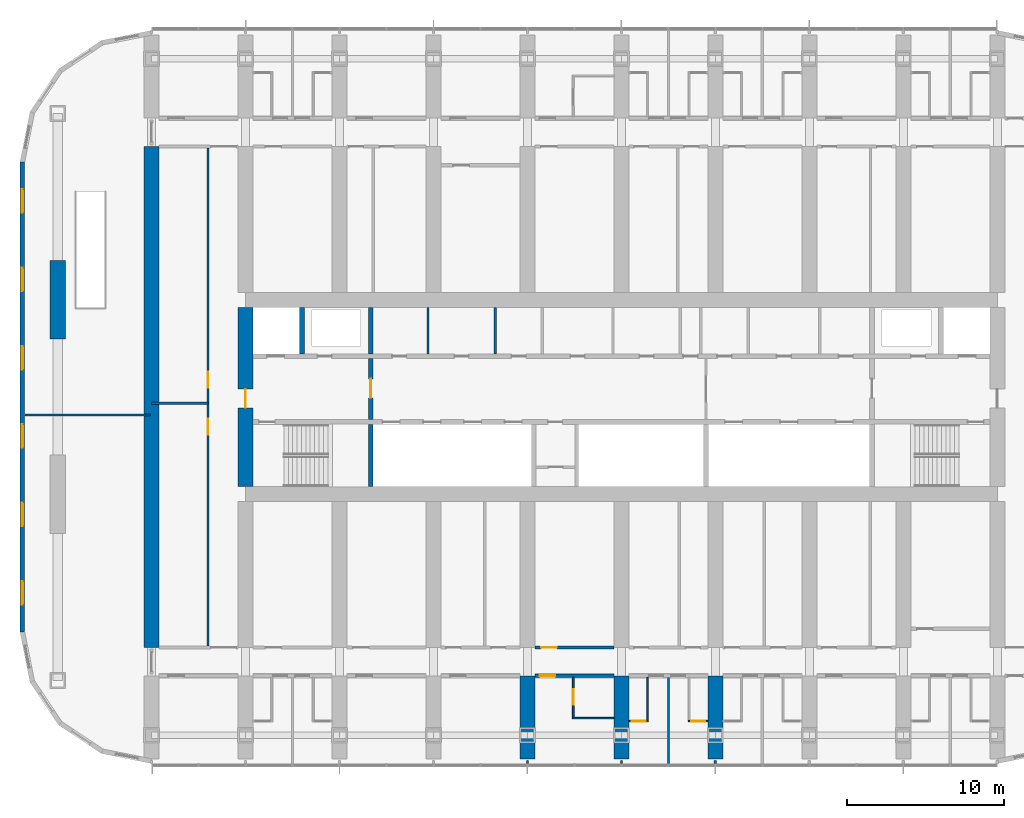
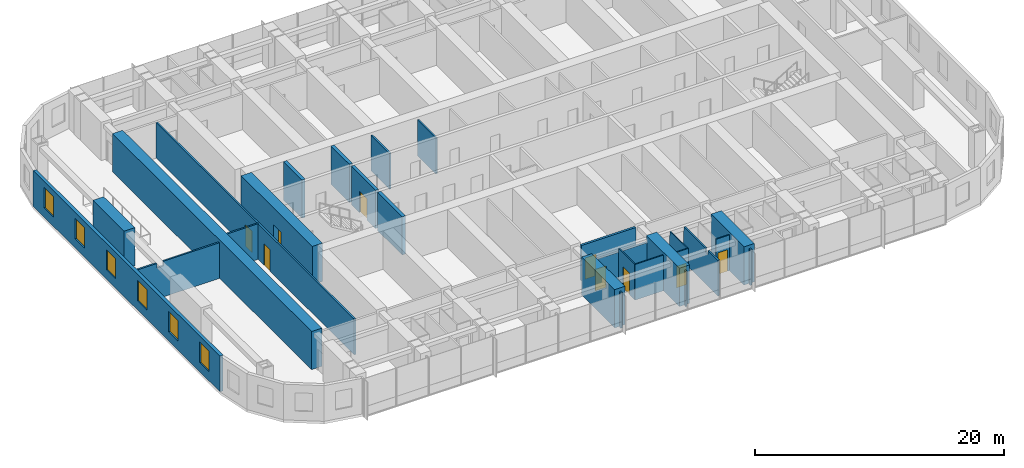
# One storey, part 9 of 21: 27 walls, 9 doors, 6 windows, 15 openings.
"""IFC4 building model written with IfcOpenShell, lengths in metres."""

import ifcopenshell
import ifcopenshell.guid

model = None  # the IFC model being written
_history = None  # IfcOwnerHistory: only IFC2X3 demands one
_inside = {}  # id of a spatial element -> (the spatial element, [elements in it])
_under = {}  # id of a project, library or spatial element -> (it, [spatial elements below it])
_declared = {}  # id of a project -> (the project, [libraries it declares])
_typed = {}  # id of a type object -> (the type object, [elements of that type])
_made_of = {}  # id of a material, layer set ... -> (it, [elements and type objects made of it])


def new_model(schema):
    """Start an empty IFC model of exactly this schema.

    Asked for "IFC4X3", IfcOpenShell would pick the latest addendum, in which some entities
    have other attributes; the version numbers below select the first issue.
    IFC2X3 requires an IfcOwnerHistory on every rooted entity: one is made here for all.
    """
    global model, _history
    if schema == "IFC4X3":
        model = ifcopenshell.file(schema_version=(4, 3, 0, 0))
    else:
        model = ifcopenshell.file(schema=schema)
    _inside.clear()
    _under.clear()
    _declared.clear()
    _typed.clear()
    _made_of.clear()
    _history = None
    if model.schema == "IFC2X3":
        org = make("IfcOrganization", Name="unknown")
        user = make(
            "IfcPersonAndOrganization",
            ThePerson=make("IfcPerson", FamilyName="unknown"),
            TheOrganization=org,
        )
        app = make(
            "IfcApplication",
            ApplicationDeveloper=org,
            Version="unknown",
            ApplicationFullName="unknown",
            ApplicationIdentifier="unknown",
        )
        _history = make(
            "IfcOwnerHistory",
            OwningUser=user,
            OwningApplication=app,
            ChangeAction="ADDED",
            CreationDate=0,
        )
    return model


def make(cls, **values):
    """One entity of the class cls with the attributes given. An attribute that is None is left unset."""
    return model.create_entity(
        cls, **{name: value for name, value in values.items() if value is not None}
    )


def rooted(cls, **values):
    """An entity with a GlobalId (a new one), such as an element, a storey or a relation."""
    return make(cls, GlobalId=ifcopenshell.guid.new(), OwnerHistory=_history, **values)


def si_unit(unit_type, name, prefix=None):
    """IfcSIUnit, for example si_unit("LENGTHUNIT", "METRE", prefix="MILLI")."""
    return make("IfcSIUnit", UnitType=unit_type, Prefix=prefix, Name=name)


def assignment(units):
    """IfcUnitAssignment: the units of a project."""
    return None if units is None else make("IfcUnitAssignment", Units=units)


def point(xyz):
    """IfcCartesianPoint."""
    return None if xyz is None else make("IfcCartesianPoint", Coordinates=xyz)


def direction(xyz):
    """IfcDirection."""
    return None if xyz is None else make("IfcDirection", DirectionRatios=xyz)


def frame(location, z_axis=None, x_axis=None):
    """IfcAxis2Placement3D, a coordinate frame: its origin and axes. An axis left out is left unset."""
    return make(
        "IfcAxis2Placement3D",
        Location=point(location),
        Axis=direction(z_axis),
        RefDirection=direction(x_axis),
    )


def frame_2d(location, x_axis=None):
    """IfcAxis2Placement2D, a coordinate frame in the plane: its origin and x axis."""
    return make(
        "IfcAxis2Placement2D", Location=point(location), RefDirection=direction(x_axis)
    )


def origin():
    """The frame at (0, 0, 0) with its axes left unset."""
    return frame((0.0, 0.0, 0.0))


def place(relative_to, where):
    """IfcLocalPlacement: puts the frame where relative to a parent placement (None: the world)."""
    return make(
        "IfcLocalPlacement", PlacementRelTo=relative_to, RelativePlacement=where
    )


def context(
    kind, dimensions, precision=None, world=None, true_north=None, identifier=None
):
    """IfcGeometricRepresentationContext, for example the 3D "Model" context."""
    return make(
        "IfcGeometricRepresentationContext",
        ContextIdentifier=identifier,
        ContextType=kind,
        CoordinateSpaceDimension=dimensions,
        Precision=precision,
        WorldCoordinateSystem=world,
        TrueNorth=true_north,
    )


def subcontext(parent, identifier, kind, view, scale=None):
    """IfcGeometricRepresentationSubContext, for example "Body" below "Model"."""
    return make(
        "IfcGeometricRepresentationSubContext",
        ContextIdentifier=identifier,
        ContextType=kind,
        ParentContext=parent,
        TargetScale=scale,
        TargetView=view,
    )


def project(units=None, contexts=None):
    """IfcProject with its units and contexts."""
    return rooted(
        "IfcProject",
        Name="project",
        RepresentationContexts=contexts,
        UnitsInContext=assignment(units),
    )


def spatial(cls, under=None, at=None, **own):
    """A site, building, storey or space (cls), placed at a placement, below another one or the project."""
    s = rooted(cls, ObjectPlacement=at, **own)
    if under is not None:
        _under.setdefault(under.id(), (under, []))[1].append(s)
    return s


def polyline(points):
    """IfcPolyline through the points."""
    return make("IfcPolyline", Points=[point(p) for p in points])


def profile(cls, at=None, kind="AREA", **sizes):
    """A parametric profile (cls). Its sizes go by their IFC names, for example OverallWidth=200.0."""
    return make(cls, ProfileType=kind, Position=at, **sizes)


def rectangle(**sizes):
    """IfcRectangleProfileDef."""
    return profile("IfcRectangleProfileDef", **sizes)


def outline(outer, holes=None, kind="AREA"):
    """IfcArbitraryClosedProfileDef: a profile drawn as a closed curve; with holes, ...WithVoids."""
    if holes is None:
        return make("IfcArbitraryClosedProfileDef", ProfileType=kind, OuterCurve=outer)
    return make(
        "IfcArbitraryProfileDefWithVoids",
        ProfileType=kind,
        OuterCurve=outer,
        InnerCurves=holes,
    )


def extrude(swept, where, along, depth):
    """IfcExtrudedAreaSolid: the profile swept, set in the frame where, extruded along a direction by depth."""
    return make(
        "IfcExtrudedAreaSolid",
        SweptArea=swept,
        Position=where,
        ExtrudedDirection=direction(along),
        Depth=depth,
    )


def shape(context_of_items, identifier, shape_type, items):
    """IfcShapeRepresentation: the items that make up one representation, for example the "Body"."""
    return make(
        "IfcShapeRepresentation",
        ContextOfItems=context_of_items,
        RepresentationIdentifier=identifier,
        RepresentationType=shape_type,
        Items=items,
    )


def material(Name=None, Category=None):
    """IfcMaterial."""
    return make("IfcMaterial", Name=Name, Category=Category)


def layer(
    of_material, thickness, ventilated=None, Name=None, Category=None, Priority=None
):
    """IfcMaterialLayer: one layer of a wall or slab, of a material (None: an air gap)."""
    return make(
        "IfcMaterialLayer",
        Material=of_material,
        LayerThickness=thickness,
        IsVentilated=ventilated,
        Name=Name,
        Category=Category,
        Priority=Priority,
    )


def layer_set(layers, Name=None):
    """IfcMaterialLayerSet."""
    return make("IfcMaterialLayerSet", MaterialLayers=layers, LayerSetName=Name)


def made_of(thing, what):
    """Note that an element or type object is made of a material, layer set ...; save() writes the relation."""
    if what is not None:
        _made_of.setdefault(what.id(), (what, []))[1].append(thing)
    return thing


def type_object(cls, material=None, **own):
    """A type object (cls), such as IfcWallType, which elements share."""
    return made_of(rooted(cls, **own), material)


def element(
    cls,
    number,
    at=None,
    inside=None,
    cuts=None,
    type_object=None,
    material=None,
    context=None,
    identifier="Body",
    shape_type=None,
    held_by="IfcProductDefinitionShape",
    body=None,
    shapes=None,
    **own,
):
    """One element of the class cls, such as IfcWall. Its Tag is "e" and its number.

    at: its placement. inside: the storey or other place that contains it. cuts: it is an
    opening in that element (IfcRelVoidsElement). A single representation is given by context,
    identifier, shape_type and body (its items); several are given by shapes. held_by: the class
    of the entity that holds the representations. save() writes the other relations.
    """
    e = rooted(cls, Tag="e%d" % number, ObjectPlacement=at, **own)
    if body is not None:
        shapes = [shape(context, identifier, shape_type, body)]
    if shapes is not None:
        e.Representation = make(held_by, Representations=shapes)
    if inside is not None:
        _inside.setdefault(inside.id(), (inside, []))[1].append(e)
    if cuts is not None:
        rooted(
            "IfcRelVoidsElement", RelatingBuildingElement=cuts, RelatedOpeningElement=e
        )
    if type_object is not None:
        _typed.setdefault(type_object.id(), (type_object, []))[1].append(e)
    return made_of(e, material)


def fill(opening, filler):
    """IfcRelFillsElement: the door or window that sits in an opening."""
    return rooted(
        "IfcRelFillsElement",
        RelatingOpeningElement=opening,
        RelatedBuildingElement=filler,
    )


def aggregate(whole, parts):
    """IfcRelAggregates: a whole, such as a stair, and the parts it consists of."""
    return rooted("IfcRelAggregates", RelatingObject=whole, RelatedObjects=parts)


def save(model, path):
    """Write the relations noted so far, then the file.

    IfcRelAggregates (storeys below a building ...), IfcRelContainedInSpatialStructure (elements
    in a storey), IfcRelDefinesByType, IfcRelAssociatesMaterial and IfcRelDeclares: one each for
    every whole, place, type object, material and project.
    """
    for whole, parts in _under.values():
        aggregate(whole, parts)
    for where, things in _inside.values():
        rooted(
            "IfcRelContainedInSpatialStructure",
            RelatedElements=things,
            RelatingStructure=where,
        )
    for kind, things in _typed.values():
        rooted("IfcRelDefinesByType", RelatedObjects=things, RelatingType=kind)
    for what, things in _made_of.values():
        rooted("IfcRelAssociatesMaterial", RelatedObjects=things, RelatingMaterial=what)
    for by, libraries in _declared.values():
        rooted("IfcRelDeclares", RelatingContext=by, RelatedDefinitions=libraries)
    model.write(path)


model = new_model("IFC4")

# Units and contexts
model_context = context("Model", 3, precision=1e-05, world=origin(), true_north=direction((0.0, 1.0)))
body_context = subcontext(model_context, "Body", "Model", "MODEL_VIEW")
ifc_project = project(units=[si_unit("LENGTHUNIT", "METRE"), si_unit("AREAUNIT", "SQUARE_METRE"), si_unit("VOLUMEUNIT", "CUBIC_METRE"), si_unit("PLANEANGLEUNIT", "RADIAN"), si_unit("MASSUNIT", "GRAM", prefix="KILO")], contexts=[model_context])

# Site, building, storey
site_placement = place(None, origin())
site = spatial("IfcSite", under=ifc_project, at=site_placement, CompositionType="ELEMENT")
building_placement = place(site_placement, origin())
building = spatial("IfcBuilding", under=site, at=building_placement, Name="Orbita Commons", CompositionType="ELEMENT")
storey_placement = place(building_placement, frame((0.0, 0.0, 103.14990234375)))
storey = spatial("IfcBuildingStorey", under=building, at=storey_placement, Name="L25", CompositionType="ELEMENT", Elevation=103.14990234375)

# Wall
ifc_material_1 = material(Name="Concrete C50/60", Category="concrete")
ifc_layer_1 = layer(ifc_material_1, 0.300048828125)
ifc_layer_set_1 = layer_set([ifc_layer_1], Name="Concrete C50/60")
wall_type_1 = type_object("IfcWallType", Name="Core inner wall 300 C50/60", PredefinedType="SHEAR", material=ifc_layer_set_1)
wall_1_placement = place(storey_placement, frame((26.0, 26.27490234375, 0.0), z_axis=(0.0, 0.0, 1.0), x_axis=(0.0, 1.0, 0.0)))
element("IfcWall", 1, at=wall_1_placement, inside=storey, type_object=wall_type_1, Name="Stair S1 wall L25", PredefinedType="SHEAR", context=body_context, shape_type="SweptSolid", body=[
    extrude(rectangle(XDim=3.97509765625, YDim=0.300048828125, at=frame_2d((1.987548828125, 0.0))), origin(), (0.0, 0.0, 1.0), 3.75),
])

# Wall, opening, door
wall_2_placement = place(storey_placement, frame((26.0, 30.550048828125, 0.0), z_axis=(0.0, 0.0, 1.0), x_axis=(0.0, 1.0, 0.0)))
wall_2 = element("IfcWall", 2, at=wall_2_placement, inside=storey, type_object=wall_type_1, Name="Firefighting lobby wall west L25", PredefinedType="SHEAR", context=body_context, shape_type="SweptSolid", body=[
    extrude(rectangle(XDim=3.89990234375, YDim=0.300048828125, at=frame_2d((1.949951171875, 0.0))), origin(), (0.0, 0.0, 1.0), 3.75),
])
opening_1_placement = place(wall_2_placement, frame((1.39990234375, 0.0, 0.0)))
opening_1 = element("IfcOpeningElement", 3, at=opening_1_placement, cuts=wall_2, Name="Opening D04", PredefinedType="OPENING", context=body_context, shape_type="SweptSolid", body=[
    extrude(rectangle(XDim=1.199951171875, YDim=2.10009765625, at=frame_2d((0.60009765625, 1.050048828125))), frame((0.0, 0.159912109375, 0.0), z_axis=(0.0, -1.0, 0.0), x_axis=(1.0, 0.0, 0.0)), (0.0, 0.0, 1.0), 0.320068359375),
])
ifc_material_2 = material(Name="Steel-faced fire door leaf", Category="steel")
door_type_1 = type_object("IfcDoorType", Name="Service door 20 min 1200x2100", OperationType="SINGLE_SWING_LEFT", PredefinedType="DOOR", material=ifc_material_2)
door_1_placement = place(opening_1_placement, origin())
door_1 = element("IfcDoor", 4, at=door_1_placement, inside=storey, type_object=door_type_1, Name="Lift lobby door west", OperationType="SINGLE_SWING_LEFT", OverallHeight=2.10009765625, OverallWidth=1.199951171875, PredefinedType="DOOR", context=body_context, shape_type="SweptSolid", body=[
    extrude(rectangle(XDim=1.199951171875, YDim=2.10009765625, at=frame_2d((0.60009765625, 1.050048828125))), frame((0.0, 0.02490234375, 0.0), z_axis=(0.0, -1.0, 0.0), x_axis=(1.0, 0.0, 0.0)), (0.0, 0.0, 1.0), 0.050048828125),
])
fill(opening_1, door_1)

# Walls
for number, where, z_axis, x_axis, name in (
    (5, (21.60009765625, 34.75, 0.0), (0.0, 0.0, 1.0), (0.0, 1.0, 0.0), "Firefighting lift FL1 shaft wall L25"),
    (6, (26.0, 34.75, 0.0), (0.0, 0.0, 1.0), (0.0, 1.0, 0.0), "Riser wall west L25"),
):
    element("IfcWall", number, at=place(storey_placement, frame(where, z_axis=z_axis, x_axis=x_axis)), inside=storey, type_object=wall_type_1, Name=name, PredefinedType="SHEAR", context=body_context, shape_type="SweptSolid", body=[
        extrude(rectangle(XDim=2.97509765625, YDim=0.300048828125, at=frame_2d((1.487548828125, 0.0))), origin(), (0.0, 0.0, 1.0), 3.75),
    ])
ifc_material_3 = material(Name="Concrete blockwork", Category="masonry")
ifc_layer_2 = layer(ifc_material_3, 0.14990234375)
ifc_layer_set_2 = layer_set([ifc_layer_2], Name="Concrete blockwork")
wall_type_2 = type_object("IfcWallType", Name="Core partition 150 blockwork", PredefinedType="SOLIDWALL", material=ifc_layer_set_2)
for number, where, z_axis, x_axis, name in (
    (7, (29.65087890625, 34.75, 0.0), (0.0, 0.0, 1.0), (0.0, 1.0, 0.0), "Core partition 150 blockwork L25"),
    (8, (33.9462890625, 34.75, 0.0), (0.0, 0.0, 1.0), (0.0, 1.0, 0.0), "Core partition 150 blockwork L25"),
):
    element("IfcWall", number, at=place(storey_placement, frame(where, z_axis=z_axis, x_axis=x_axis)), inside=storey, type_object=wall_type_2, Name=name, PredefinedType="SOLIDWALL", context=body_context, shape_type="SweptSolid", body=[
        extrude(rectangle(XDim=2.97509765625, YDim=0.14990234375, at=frame_2d((1.487548828125, 0.0))), origin(), (0.0, 0.0, 1.0), 3.5),
    ])

# Wall, opening, door
ifc_material_4 = material(Name="Concrete C50/60", Category="concrete")
ifc_layer_3 = layer(ifc_material_4, 0.949951171875)
ifc_layer_set_3 = layer_set([ifc_layer_3], Name="Concrete C50/60")
wall_type_3 = type_object("IfcWallType", Name="Core wall 950 C50/60", PredefinedType="SHEAR", material=ifc_layer_set_3)
wall_3_placement = place(storey_placement, frame((18.0, 26.27490234375, 0.0), z_axis=(0.0, 0.0, 1.0), x_axis=(0.0, 1.0, 0.0)))
wall_3 = element("IfcWall", 9, at=wall_3_placement, inside=storey, type_object=wall_type_3, Name="Core end wall west L25", PredefinedType="SHEAR", context=body_context, shape_type="SweptSolid", body=[
    extrude(rectangle(XDim=11.4501953125, YDim=0.949951171875, at=frame_2d((5.72509765625, 0.0))), origin(), (0.0, 0.0, 1.0), 3.75),
])
opening_2_placement = place(wall_3_placement, frame((5.02490234375, 0.0, 0.0)))
opening_2 = element("IfcOpeningElement", 10, at=opening_2_placement, cuts=wall_3, Name="Opening D01", PredefinedType="OPENING", context=body_context, shape_type="SweptSolid", body=[
    extrude(rectangle(XDim=1.199951171875, YDim=2.10009765625, at=frame_2d((0.60009765625, 1.050048828125))), frame((0.0, 0.48486328125, 0.0), z_axis=(0.0, -1.0, 0.0), x_axis=(1.0, 0.0, 0.0)), (0.0, 0.0, 1.0), 0.969970703125),
])
ifc_material_5 = material(Name="Steel-faced fire door leaf", Category="steel")
door_type_2 = type_object("IfcDoorType", Name="Fire door 90 min 1200x2100", OperationType="SINGLE_SWING_LEFT", PredefinedType="DOOR", material=ifc_material_5)
door_2_placement = place(opening_2_placement, origin())
door_2 = element("IfcDoor", 11, at=door_2_placement, inside=storey, type_object=door_type_2, Name="Firefighting lobby west door", OperationType="SINGLE_SWING_LEFT", OverallHeight=2.10009765625, OverallWidth=1.199951171875, PredefinedType="DOOR", context=body_context, shape_type="SweptSolid", body=[
    extrude(rectangle(XDim=1.199951171875, YDim=2.10009765625, at=frame_2d((0.60009765625, 1.050048828125))), frame((0.0, 0.02490234375, 0.0), z_axis=(0.0, -1.0, 0.0), x_axis=(1.0, 0.0, 0.0)), (0.0, 0.0, 1.0), 0.050048828125),
])
fill(opening_2, door_2)

ifc_material_6 = material(Name="Concrete blockwork", Category="masonry")
ifc_layer_4 = layer(ifc_material_6, 0.199951171875)
ifc_layer_set_4 = layer_set([ifc_layer_4], Name="Concrete blockwork")
wall_type_4 = type_object("IfcWallType", Name="Corridor wall 200 blockwork", PredefinedType="SOLIDWALL", material=ifc_layer_set_4)
wall_4_placement = place(storey_placement, frame((36.47509765625, 14.199951171875, 0.0), z_axis=(0.0, 0.0, 1.0), x_axis=(1.0, 0.0, 0.0)))
wall_4 = element("IfcWall", 12, at=wall_4_placement, inside=storey, type_object=wall_type_4, Name="Corridor wall 200 blockwork L25", PredefinedType="SOLIDWALL", context=body_context, shape_type="SweptSolid", body=[
    extrude(outline(polyline([(0.0, 0.0), (5.0498046875, 0.0), (5.050048828125, 3.10009765625), (0.0, 3.10009765625), (0.0, 0.0)])), frame((0.0, 0.10009765625, 0.0), z_axis=(0.0, -1.0, 0.0), x_axis=(1.0, 0.0, 0.0)), (0.0, 0.0, 1.0), 0.199951171875),
])
opening_3_placement = place(wall_4_placement, frame((0.300048828125, 0.0, 0.0)))
opening_3 = element("IfcOpeningElement", 13, at=opening_3_placement, cuts=wall_4, Name="Opening D06", PredefinedType="OPENING", context=body_context, shape_type="SweptSolid", body=[
    extrude(rectangle(XDim=1.0, YDim=2.10009765625, at=frame_2d((0.5, 1.050048828125))), frame((0.0, 0.10986328125, 0.0), z_axis=(0.0, -1.0, 0.0), x_axis=(1.0, 0.0, 0.0)), (0.0, 0.0, 1.0), 0.219970703125),
])
ifc_material_7 = material(Name="Steel-faced fire door leaf", Category="steel")
door_type_3 = type_object("IfcDoorType", Name="Corridor door 20 min 1000x2100", OperationType="SINGLE_SWING_LEFT", PredefinedType="DOOR", material=ifc_material_7)
door_3_placement = place(opening_3_placement, origin())
door_3 = element("IfcDoor", 14, at=door_3_placement, inside=storey, type_object=door_type_3, Name="Accessible bedroom L25-S08 door", OperationType="SINGLE_SWING_LEFT", OverallHeight=2.10009765625, OverallWidth=1.0, PredefinedType="DOOR", context=body_context, shape_type="SweptSolid", body=[
    extrude(rectangle(XDim=1.0, YDim=2.10009765625, at=frame_2d((0.5, 1.050048828125))), frame((0.0, 0.02490234375, 0.0), z_axis=(0.0, -1.0, 0.0), x_axis=(1.0, 0.0, 0.0)), (0.0, 0.0, 1.0), 0.050048828125),
])
fill(opening_3, door_3)

ifc_material_8 = material(Name="Hollow concrete block 200", Category="concrete")
ifc_layer_5 = layer(ifc_material_8, 0.199951171875)
ifc_layer_set_5 = layer_set([ifc_layer_5], Name="Hollow concrete block 200")
wall_type_5 = type_object("IfcWallType", Name="Corridor wall 200 hollow concrete block", PredefinedType="SOLIDWALL", material=ifc_layer_set_5)
wall_5_placement = place(storey_placement, frame((36.47509765625, 16.0, 0.0), z_axis=(0.0, 0.0, 1.0), x_axis=(1.0, 0.0, 0.0)))
wall_5 = element("IfcWall", 15, at=wall_5_placement, inside=storey, type_object=wall_type_5, Name="Corridor wall 200 hollow concrete block L25", PredefinedType="SOLIDWALL", context=body_context, shape_type="SweptSolid", body=[
    extrude(rectangle(XDim=5.0498046875, YDim=0.199951171875, at=frame_2d((2.52490234375, 0.0))), origin(), (0.0, 0.0, 1.0), 3.5),
])
opening_4_placement = place(wall_5_placement, frame((0.39990234375, 0.0, 0.0)))
opening_4 = element("IfcOpeningElement", 16, at=opening_4_placement, cuts=wall_5, Name="Opening D06", PredefinedType="OPENING", context=body_context, shape_type="SweptSolid", body=[
    extrude(rectangle(XDim=1.0, YDim=2.10009765625, at=frame_2d((0.5, 1.050048828125))), frame((0.0, 0.10986328125, 0.0), z_axis=(0.0, -1.0, 0.0), x_axis=(1.0, 0.0, 0.0)), (0.0, 0.0, 1.0), 0.219970703125),
])
door_4_placement = place(opening_4_placement, origin())
door_4 = element("IfcDoor", 17, at=door_4_placement, inside=storey, type_object=door_type_3, Name="IT and print room L25-BDS36 door", OperationType="SINGLE_SWING_LEFT", OverallHeight=2.10009765625, OverallWidth=1.0, PredefinedType="DOOR", context=body_context, shape_type="SweptSolid", body=[
    extrude(rectangle(XDim=1.0, YDim=2.10009765625, at=frame_2d((0.5, 1.050048828125))), frame((0.0, 0.02490234375, 0.0), z_axis=(0.0, -1.0, 0.0), x_axis=(1.0, 0.0, 0.0)), (0.0, 0.0, 1.0), 0.050048828125),
])
fill(opening_4, door_4)

# Walls
ifc_material_9 = material(Name="Concrete C50/60", Category="concrete")
ifc_layer_6 = layer(ifc_material_9, 0.949951171875)
ifc_layer_set_6 = layer_set([ifc_layer_6], Name="Concrete C50/60")
wall_type_6 = type_object("IfcWallType", Name="Cross wall 950 C50/60", PredefinedType="SHEAR", material=ifc_layer_set_6)
wall_6_placement = place(storey_placement, frame((12.0, 16.0, 0.0), z_axis=(0.0, 0.0, 1.0), x_axis=(0.0, 1.0, 0.0)))
element("IfcWall", 18, at=wall_6_placement, inside=storey, type_object=wall_type_6, Name="Cross wall 3 inner L25", PredefinedType="SHEAR", context=body_context, shape_type="SweptSolid", body=[
    extrude(rectangle(XDim=32.0, YDim=0.949951171875, at=frame_2d((16.0, 0.0))), origin(), (0.0, 0.0, 1.0), 3.75),
])
for number, where, z_axis, x_axis, name in (
    (19, (36.0, 8.89990234375, 0.0), (0.0, 0.0, 1.0), (0.0, 1.0, 0.0), "Cross wall 7 south outer L25"),
    (20, (42.0, 8.89990234375, 0.0), (0.0, 0.0, 1.0), (0.0, 1.0, 0.0), "Cross wall 8 south outer L25"),
    (21, (48.0, 8.89990234375, 0.0), (0.0, 0.0, 1.0), (0.0, 1.0, 0.0), "Cross wall 9 south outer L25"),
):
    element("IfcWall", number, at=place(storey_placement, frame(where, z_axis=z_axis, x_axis=x_axis)), inside=storey, type_object=wall_type_6, Name=name, PredefinedType="SHEAR", context=body_context, shape_type="SweptSolid", body=[
        extrude(rectangle(XDim=5.300048828125, YDim=0.949951171875, at=frame_2d((2.64990234375, 0.0))), origin(), (0.0, 0.0, 1.0), 3.75),
    ])
ifc_material_10 = material(Name="Moisture-resistant plasterboard on steel studs", Category="steel")
ifc_layer_7 = layer(ifc_material_10, 0.10009765625)
ifc_layer_set_7 = layer_set([ifc_layer_7], Name="Moisture-resistant plasterboard on steel studs")
wall_type_7 = type_object("IfcWallType", Name="En-suite partition 100", PredefinedType="PARTITIONING", material=ifc_layer_set_7)
wall_7_placement = place(storey_placement, frame((38.875, 11.5, 0.0), z_axis=(0.0, 0.0, 1.0), x_axis=(1.0, 0.0, 0.0)))
element("IfcWall", 22, at=wall_7_placement, inside=storey, type_object=wall_type_7, Name="En-suite partition 100 L25", PredefinedType="PARTITIONING", context=body_context, shape_type="SweptSolid", body=[
    extrude(rectangle(XDim=2.64990234375, YDim=0.10009765625, at=frame_2d((1.324951171875, 0.0))), origin(), (0.0, 0.0, 1.0), 3.5),
])

# Wall, opening, door
wall_8_placement = place(storey_placement, frame((38.925048828125, 11.550048828125, 0.0), z_axis=(0.0, 0.0, 1.0), x_axis=(0.0, 1.0, 0.0)))
wall_8 = element("IfcWall", 23, at=wall_8_placement, inside=storey, type_object=wall_type_7, Name="En-suite partition 100 L25", PredefinedType="PARTITIONING", context=body_context, shape_type="SweptSolid", body=[
    extrude(outline(polyline([(0.0, 0.0), (2.550048828125, 0.0), (2.550048828125, 3.10009765625), (2.501953125, 3.10009765625), (2.5, 3.5), (0.0, 3.5), (0.0, 0.0)])), frame((0.0, 0.050048828125, 0.0), z_axis=(0.0, -1.0, 0.0), x_axis=(1.0, 0.0, 0.0)), (0.0, 0.0, 1.0), 0.10009765625),
])
opening_5_placement = place(wall_8_placement, frame((0.800048828125, 0.0, 0.0)))
opening_5 = element("IfcOpeningElement", 24, at=opening_5_placement, cuts=wall_8, Name="Opening D13", PredefinedType="OPENING", context=body_context, shape_type="SweptSolid", body=[
    extrude(rectangle(XDim=1.0, YDim=2.10009765625, at=frame_2d((0.5, 1.050048828125))), frame((0.0, 0.06005859375, 0.0), z_axis=(0.0, -1.0, 0.0), x_axis=(1.0, 0.0, 0.0)), (0.0, 0.0, 1.0), 0.1201171875),
])
ifc_material_11 = material(Name="Laminated timber door leaf", Category="wood")
door_type_4 = type_object("IfcDoorType", Name="En-suite door 1000x2100", OperationType="SINGLE_SWING_RIGHT", PredefinedType="DOOR", material=ifc_material_11)
door_5_placement = place(opening_5_placement, origin())
door_5 = element("IfcDoor", 25, at=door_5_placement, inside=storey, type_object=door_type_4, Name="Accessible shower room L25-S08 door", OperationType="SINGLE_SWING_RIGHT", OverallHeight=2.10009765625, OverallWidth=1.0, PredefinedType="DOOR", context=body_context, shape_type="SweptSolid", body=[
    extrude(rectangle(XDim=1.0, YDim=2.10009765625, at=frame_2d((0.5, 1.050048828125))), frame((0.0, 0.02490234375, 0.0), z_axis=(0.0, -1.0, 0.0), x_axis=(1.0, 0.0, 0.0)), (0.0, 0.0, 1.0), 0.050048828125),
])
fill(opening_5, door_5)

wall_9_placement = place(storey_placement, frame((43.72509765625, 11.300048828125, 0.0), z_axis=(0.0, 0.0, 1.0), x_axis=(-1.0, 0.0, 0.0)))
wall_9 = element("IfcWall", 26, at=wall_9_placement, inside=storey, type_object=wall_type_7, Name="En-suite partition 100 L25", PredefinedType="PARTITIONING", context=body_context, shape_type="SweptSolid", body=[
    extrude(rectangle(XDim=1.25, YDim=0.10009765625, at=frame_2d((0.625, 0.0))), origin(), (0.0, 0.0, 1.0), 3.5),
])
opening_6_placement = place(wall_9_placement, frame((0.175048828125, 0.0, 0.0)))
opening_6 = element("IfcOpeningElement", 27, at=opening_6_placement, cuts=wall_9, Name="Opening D09", PredefinedType="OPENING", context=body_context, shape_type="SweptSolid", body=[
    extrude(rectangle(XDim=0.89990234375, YDim=2.10009765625, at=frame_2d((0.449951171875, 1.050048828125))), frame((0.0, 0.06005859375, 0.0), z_axis=(0.0, -1.0, 0.0), x_axis=(1.0, 0.0, 0.0)), (0.0, 0.0, 1.0), 0.1201171875),
])
ifc_material_12 = material(Name="Laminated timber door leaf", Category="wood")
door_type_5 = type_object("IfcDoorType", Name="En-suite door 900x2100", OperationType="SINGLE_SWING_RIGHT", PredefinedType="DOOR", material=ifc_material_12)
door_6_placement = place(opening_6_placement, origin())
door_6 = element("IfcDoor", 28, at=door_6_placement, inside=storey, type_object=door_type_5, Name="En-suite L25-S10 door", OperationType="SINGLE_SWING_RIGHT", OverallHeight=2.10009765625, OverallWidth=0.89990234375, PredefinedType="DOOR", context=body_context, shape_type="SweptSolid", body=[
    extrude(rectangle(XDim=0.89990234375, YDim=2.10009765625, at=frame_2d((0.449951171875, 1.050048828125))), frame((0.0, 0.02490234375, 0.0), z_axis=(0.0, -1.0, 0.0), x_axis=(1.0, 0.0, 0.0)), (0.0, 0.0, 1.0), 0.050048828125),
])
fill(opening_6, door_6)

# Wall
wall_10_placement = place(storey_placement, frame((43.675048828125, 11.35009765625, 0.0), z_axis=(0.0, 0.0, 1.0), x_axis=(0.0, 1.0, 0.0)))
element("IfcWall", 29, at=wall_10_placement, inside=storey, type_object=wall_type_7, Name="En-suite partition 100 L25", PredefinedType="PARTITIONING", context=body_context, shape_type="SweptSolid", body=[
    extrude(outline(polyline([(0.0, 0.0), (2.75, 0.0), (2.75, 3.10009765625), (2.701904296875, 3.10009765625), (2.699951171875, 3.5), (0.0, 3.5), (0.0, 0.0)])), frame((0.0, 0.050048828125, 0.0), z_axis=(0.0, -1.0, 0.0), x_axis=(1.0, 0.0, 0.0)), (0.0, 0.0, 1.0), 0.10009765625),
])

# Wall, opening, door
wall_11_placement = place(storey_placement, frame((47.52490234375, 11.300048828125, 0.0), z_axis=(0.0, 0.0, 1.0), x_axis=(-1.0, 0.0, 0.0)))
wall_11 = element("IfcWall", 30, at=wall_11_placement, inside=storey, type_object=wall_type_7, Name="En-suite partition 100 L25", PredefinedType="PARTITIONING", context=body_context, shape_type="SweptSolid", body=[
    extrude(rectangle(XDim=1.25, YDim=0.10009765625, at=frame_2d((0.625, 0.0))), origin(), (0.0, 0.0, 1.0), 3.5),
])
opening_7_placement = place(wall_11_placement, frame((0.175048828125, 0.0, 0.0)))
opening_7 = element("IfcOpeningElement", 31, at=opening_7_placement, cuts=wall_11, Name="Opening D09", PredefinedType="OPENING", context=body_context, shape_type="SweptSolid", body=[
    extrude(rectangle(XDim=0.89990234375, YDim=2.10009765625, at=frame_2d((0.449951171875, 1.050048828125))), frame((0.0, 0.06005859375, 0.0), z_axis=(0.0, -1.0, 0.0), x_axis=(1.0, 0.0, 0.0)), (0.0, 0.0, 1.0), 0.1201171875),
])
door_7_placement = place(opening_7_placement, origin())
door_7 = element("IfcDoor", 32, at=door_7_placement, inside=storey, type_object=door_type_5, Name="En-suite L25-S11 door", OperationType="SINGLE_SWING_RIGHT", OverallHeight=2.10009765625, OverallWidth=0.89990234375, PredefinedType="DOOR", context=body_context, shape_type="SweptSolid", body=[
    extrude(rectangle(XDim=0.89990234375, YDim=2.10009765625, at=frame_2d((0.449951171875, 1.050048828125))), frame((0.0, 0.02490234375, 0.0), z_axis=(0.0, -1.0, 0.0), x_axis=(1.0, 0.0, 0.0)), (0.0, 0.0, 1.0), 0.050048828125),
])
fill(opening_7, door_7)

# Wall
ifc_material_13 = material(Name="Concrete C50/60", Category="concrete")
ifc_layer_8 = layer(ifc_material_13, 1.0)
ifc_layer_set_8 = layer_set([ifc_layer_8], Name="Concrete C50/60")
wall_type_8 = type_object("IfcWallType", Name="End pier 1000x5000 C50/60", PredefinedType="SHEAR", material=ifc_layer_set_8)
wall_12_placement = place(storey_placement, frame((6.0, 35.699951171875, 0.0), z_axis=(0.0, 0.0, 1.0), x_axis=(0.0, 1.0, 0.0)))
element("IfcWall", 33, at=wall_12_placement, inside=storey, type_object=wall_type_8, Name="End pier 2/D L25", PredefinedType="SHEAR", context=body_context, shape_type="SweptSolid", body=[
    extrude(rectangle(XDim=5.0, YDim=1.0, at=frame_2d((2.5, 0.0))), origin(), (0.0, 0.0, 1.0), 3.75),
])

# Wall, openings, doors
ifc_material_14 = material(Name="Gypsum plasterboard on steel studs", Category="steel")
ifc_layer_9 = layer(ifc_material_14, 0.14990234375)
ifc_layer_set_9 = layer_set([ifc_layer_9], Name="Gypsum plasterboard on steel studs")
wall_type_9 = type_object("IfcWallType", Name="Partition 150 plasterboard", PredefinedType="PARTITIONING", material=ifc_layer_set_9)
wall_13_placement = place(storey_placement, frame((15.60009765625, 16.10009765625, 0.0), z_axis=(0.0, 0.0, 1.0), x_axis=(0.0, 1.0, 0.0)))
wall_13 = element("IfcWall", 34, at=wall_13_placement, inside=storey, type_object=wall_type_9, Name="Partition 150 plasterboard L25", PredefinedType="PARTITIONING", context=body_context, shape_type="SweptSolid", body=[
    extrude(rectangle(XDim=31.7998046875, YDim=0.14990234375, at=frame_2d((15.89990234375, 0.0))), origin(), (0.0, 0.0, 1.0), 3.5),
])
opening_8_placement = place(wall_13_placement, frame((13.5, 0.0, 0.0)))
opening_8 = element("IfcOpeningElement", 35, at=opening_8_placement, cuts=wall_13, Name="Opening D06", PredefinedType="OPENING", context=body_context, shape_type="SweptSolid", body=[
    extrude(rectangle(XDim=1.0, YDim=2.10009765625, at=frame_2d((0.5, 1.050048828125))), frame((0.0, 0.0849609375, 0.0), z_axis=(0.0, -1.0, 0.0), x_axis=(1.0, 0.0, 0.0)), (0.0, 0.0, 1.0), 0.169921875),
])
opening_9_placement = place(wall_13_placement, frame((16.5, 0.0, 0.0)))
opening_9 = element("IfcOpeningElement", 36, at=opening_9_placement, cuts=wall_13, Name="Opening D06", PredefinedType="OPENING", context=body_context, shape_type="SweptSolid", body=[
    extrude(rectangle(XDim=1.0, YDim=2.10009765625, at=frame_2d((0.5, 1.050048828125))), frame((0.0, 0.0849609375, 0.0), z_axis=(0.0, -1.0, 0.0), x_axis=(1.0, 0.0, 0.0)), (0.0, 0.0, 1.0), 0.169921875),
])
door_8_placement = place(opening_8_placement, origin())
door_8 = element("IfcDoor", 37, at=door_8_placement, inside=storey, type_object=door_type_3, Name="Interview room door", OperationType="SINGLE_SWING_LEFT", OverallHeight=2.10009765625, OverallWidth=1.0, PredefinedType="DOOR", context=body_context, shape_type="SweptSolid", body=[
    extrude(rectangle(XDim=1.0, YDim=2.10009765625, at=frame_2d((0.5, 1.050048828125))), frame((0.0, 0.02490234375, 0.0), z_axis=(0.0, -1.0, 0.0), x_axis=(1.0, 0.0, 0.0)), (0.0, 0.0, 1.0), 0.050048828125),
])
fill(opening_8, door_8)
door_9_placement = place(opening_9_placement, origin())
door_9 = element("IfcDoor", 38, at=door_9_placement, inside=storey, type_object=door_type_3, Name="Prayer room door", OperationType="SINGLE_SWING_LEFT", OverallHeight=2.10009765625, OverallWidth=1.0, PredefinedType="DOOR", context=body_context, shape_type="SweptSolid", body=[
    extrude(rectangle(XDim=1.0, YDim=2.10009765625, at=frame_2d((0.5, 1.050048828125))), frame((0.0, 0.02490234375, 0.0), z_axis=(0.0, -1.0, 0.0), x_axis=(1.0, 0.0, 0.0)), (0.0, 0.0, 1.0), 0.050048828125),
])
fill(opening_9, door_9)

# Walls
wall_14_placement = place(storey_placement, frame((12.0, 31.60009765625, 0.0), z_axis=(0.0, 0.0, 1.0), x_axis=(1.0, 0.0, 0.0)))
element("IfcWall", 39, at=wall_14_placement, inside=storey, type_object=wall_type_9, Name="Partition 150 plasterboard L25", PredefinedType="PARTITIONING", context=body_context, shape_type="SweptSolid", body=[
    extrude(rectangle(XDim=3.60009765625, YDim=0.14990234375, at=frame_2d((1.800048828125, 0.0))), origin(), (0.0, 0.0, 1.0), 3.5),
])
wall_15_placement = place(storey_placement, frame((3.905029296875, 30.85009765625, 0.0), z_axis=(0.0, 0.0, 1.0), x_axis=(1.0, 0.0, 0.0)))
element("IfcWall", 40, at=wall_15_placement, inside=storey, type_object=wall_type_9, Name="Partition 150 plasterboard L25", PredefinedType="PARTITIONING", context=body_context, shape_type="SweptSolid", body=[
    extrude(outline(polyline([(0.0, 0.0), (8.02001953125, 0.0), (8.02001953125, 3.5), (2.39697265625, 3.5), (2.39501953125, 3.050048828125), (1.797119140625, 3.050048828125), (1.794921875, 3.5), (0.0, 3.5), (0.0, 0.0)])), frame((0.0, 0.074951171875, 0.0), z_axis=(0.0, -1.0, 0.0), x_axis=(1.0, 0.0, 0.0)), (0.0, 0.0, 1.0), 0.14990234375),
])
for number, where, z_axis, x_axis, name in (
    (41, (36.0, 8.800048828125, 0.0), (0.0, 0.0, 1.0), (0.0, -1.0, 0.0), "Partition 150 plasterboard L25"),
    (42, (42.0, 8.800048828125, 0.0), (0.0, 0.0, 1.0), (0.0, -1.0, 0.0), "Partition 150 plasterboard L25"),
    (43, (48.0, 8.800048828125, 0.0), (0.0, 0.0, 1.0), (0.0, -1.0, 0.0), "Partition 150 plasterboard L25"),
):
    element("IfcWall", number, at=place(storey_placement, frame(where, z_axis=z_axis, x_axis=x_axis)), inside=storey, type_object=wall_type_9, Name=name, PredefinedType="PARTITIONING", context=body_context, shape_type="SweptSolid", body=[
        extrude(rectangle(XDim=0.18994140625, YDim=0.14990234375, at=frame_2d((0.094970703125, 0.0))), origin(), (0.0, 0.0, 1.0), 3.5),
    ])
ifc_material_15 = material(Name="Gypsum plasterboard on steel studs", Category="steel")
ifc_layer_10 = layer(ifc_material_15, 0.14990234375)
ifc_layer_set_10 = layer_set([ifc_layer_10], Name="Gypsum plasterboard on steel studs")
wall_type_10 = type_object("IfcWallType", Name="Party wall 150 plasterboard", PredefinedType="PARTITIONING", material=ifc_layer_set_10)
wall_16_placement = place(storey_placement, frame((45.0, 8.610107421875, 0.0), z_axis=(0.0, 0.0, 1.0), x_axis=(0.0, 1.0, 0.0)))
element("IfcWall", 44, at=wall_16_placement, inside=storey, type_object=wall_type_10, Name="Party wall 150 plasterboard L25", PredefinedType="PARTITIONING", context=body_context, shape_type="SweptSolid", body=[
    extrude(outline(polyline([(0.0, 0.0), (5.489990234375, 0.0), (5.489990234375, 3.10009765625), (5.44189453125, 3.10009765625), (5.43994140625, 3.5), (1.991943359375, 3.5), (1.989990234375, 3.10009765625), (1.592041015625, 3.10009765625), (1.590087890625, 3.5), (0.0, 3.5), (0.0, 0.0)])), frame((0.0, 0.074951171875, 0.0), z_axis=(0.0, -1.0, 0.0), x_axis=(1.0, 0.0, 0.0)), (0.0, 0.0, 1.0), 0.14990234375),
])

# Wall, openings, windows
ifc_material_16 = material(Name="Precast concrete C40/50, white board-marked finish", Category="concrete")
ifc_layer_11 = layer(ifc_material_16, 0.300048828125)
ifc_layer_set_11 = layer_set([ifc_layer_11], Name="Precast concrete C40/50, white board-marked finish")
wall_type_11 = type_object("IfcWallType", Name="Precast concrete end shield 300", PredefinedType="SOLIDWALL", material=ifc_layer_set_11)
wall_17_placement = place(storey_placement, frame((3.75, 47.0, 0.0), z_axis=(0.0, 0.0, 1.0), x_axis=(0.0, -1.0, 0.0)))
wall_17 = element("IfcWall", 45, at=wall_17_placement, inside=storey, type_object=wall_type_11, Name="End shield W L25", PredefinedType="SOLIDWALL", context=body_context, shape_type="SweptSolid", body=[
    extrude(outline(polyline([(-0.014892578125, -0.14990234375), (30.014892578125, -0.14990234375), (29.985107421875, 0.14990234375), (0.014892578125, 0.14990234375), (-0.014892578125, -0.14990234375)])), origin(), (0.0, 0.0, 1.0), 3.5),
])
opening_10_placement = place(wall_17_placement, frame((1.75, 0.0, 0.89990234375)))
opening_10 = element("IfcOpeningElement", 46, at=opening_10_placement, cuts=wall_17, Name="Opening W01", PredefinedType="OPENING", context=body_context, shape_type="SweptSolid", body=[
    extrude(rectangle(XDim=1.5, YDim=2.0, at=frame_2d((0.75, 1.0))), frame((0.0, 0.159912109375, 0.0), z_axis=(0.0, -1.0, 0.0), x_axis=(1.0, 0.0, 0.0)), (0.0, 0.0, 1.0), 0.320068359375),
])
opening_11_placement = place(wall_17_placement, frame((6.75, 0.0, 0.89990234375)))
opening_11 = element("IfcOpeningElement", 47, at=opening_11_placement, cuts=wall_17, Name="Opening W01", PredefinedType="OPENING", context=body_context, shape_type="SweptSolid", body=[
    extrude(rectangle(XDim=1.5, YDim=2.0, at=frame_2d((0.75, 1.0))), frame((0.0, 0.159912109375, 0.0), z_axis=(0.0, -1.0, 0.0), x_axis=(1.0, 0.0, 0.0)), (0.0, 0.0, 1.0), 0.320068359375),
])
opening_12_placement = place(wall_17_placement, frame((11.75, 0.0, 0.89990234375)))
opening_12 = element("IfcOpeningElement", 48, at=opening_12_placement, cuts=wall_17, Name="Opening W01", PredefinedType="OPENING", context=body_context, shape_type="SweptSolid", body=[
    extrude(rectangle(XDim=1.5, YDim=2.0, at=frame_2d((0.75, 1.0))), frame((0.0, 0.159912109375, 0.0), z_axis=(0.0, -1.0, 0.0), x_axis=(1.0, 0.0, 0.0)), (0.0, 0.0, 1.0), 0.320068359375),
])
opening_13_placement = place(wall_17_placement, frame((16.75, 0.0, 0.89990234375)))
opening_13 = element("IfcOpeningElement", 49, at=opening_13_placement, cuts=wall_17, Name="Opening W01", PredefinedType="OPENING", context=body_context, shape_type="SweptSolid", body=[
    extrude(rectangle(XDim=1.5, YDim=2.0, at=frame_2d((0.75, 1.0))), frame((0.0, 0.159912109375, 0.0), z_axis=(0.0, -1.0, 0.0), x_axis=(1.0, 0.0, 0.0)), (0.0, 0.0, 1.0), 0.320068359375),
])
opening_14_placement = place(wall_17_placement, frame((21.75, 0.0, 0.89990234375)))
opening_14 = element("IfcOpeningElement", 50, at=opening_14_placement, cuts=wall_17, Name="Opening W01", PredefinedType="OPENING", context=body_context, shape_type="SweptSolid", body=[
    extrude(rectangle(XDim=1.5, YDim=2.0, at=frame_2d((0.75, 1.0))), frame((0.0, 0.159912109375, 0.0), z_axis=(0.0, -1.0, 0.0), x_axis=(1.0, 0.0, 0.0)), (0.0, 0.0, 1.0), 0.320068359375),
])
opening_15_placement = place(wall_17_placement, frame((26.75, 0.0, 0.89990234375)))
opening_15 = element("IfcOpeningElement", 51, at=opening_15_placement, cuts=wall_17, Name="Opening W01", PredefinedType="OPENING", context=body_context, shape_type="SweptSolid", body=[
    extrude(rectangle(XDim=1.5, YDim=2.0, at=frame_2d((0.75, 1.0))), frame((0.0, 0.159912109375, 0.0), z_axis=(0.0, -1.0, 0.0), x_axis=(1.0, 0.0, 0.0)), (0.0, 0.0, 1.0), 0.320068359375),
])
ifc_material_17 = material(Name="Aluminium frame, clear double glazing", Category="aluminium")
window_type = type_object("IfcWindowType", Name="Deep-set window 1500x2000", PartitioningType="SINGLE_PANEL", PredefinedType="WINDOW", material=ifc_material_17)
window_1_placement = place(opening_10_placement, origin())
window_1 = element("IfcWindow", 52, at=window_1_placement, inside=storey, type_object=window_type, Name="Window L25-W 1", OverallHeight=2.0, OverallWidth=1.5, PartitioningType="SINGLE_PANEL", PredefinedType="WINDOW", context=body_context, shape_type="SweptSolid", body=[
    extrude(rectangle(XDim=1.5, YDim=2.0, at=frame_2d((0.75, 1.0))), frame((0.0, 0.030029296875, 0.0), z_axis=(0.0, -1.0, 0.0), x_axis=(1.0, 0.0, 0.0)), (0.0, 0.0, 1.0), 0.06005859375),
])
fill(opening_10, window_1)
window_2_placement = place(opening_11_placement, origin())
window_2 = element("IfcWindow", 53, at=window_2_placement, inside=storey, type_object=window_type, Name="Window L25-W 2", OverallHeight=2.0, OverallWidth=1.5, PartitioningType="SINGLE_PANEL", PredefinedType="WINDOW", context=body_context, shape_type="SweptSolid", body=[
    extrude(rectangle(XDim=1.5, YDim=2.0, at=frame_2d((0.75, 1.0))), frame((0.0, 0.030029296875, 0.0), z_axis=(0.0, -1.0, 0.0), x_axis=(1.0, 0.0, 0.0)), (0.0, 0.0, 1.0), 0.06005859375),
])
fill(opening_11, window_2)
window_3_placement = place(opening_12_placement, origin())
window_3 = element("IfcWindow", 54, at=window_3_placement, inside=storey, type_object=window_type, Name="Window L25-W 3", OverallHeight=2.0, OverallWidth=1.5, PartitioningType="SINGLE_PANEL", PredefinedType="WINDOW", context=body_context, shape_type="SweptSolid", body=[
    extrude(rectangle(XDim=1.5, YDim=2.0, at=frame_2d((0.75, 1.0))), frame((0.0, 0.030029296875, 0.0), z_axis=(0.0, -1.0, 0.0), x_axis=(1.0, 0.0, 0.0)), (0.0, 0.0, 1.0), 0.06005859375),
])
fill(opening_12, window_3)
window_4_placement = place(opening_13_placement, origin())
window_4 = element("IfcWindow", 55, at=window_4_placement, inside=storey, type_object=window_type, Name="Window L25-W 4", OverallHeight=2.0, OverallWidth=1.5, PartitioningType="SINGLE_PANEL", PredefinedType="WINDOW", context=body_context, shape_type="SweptSolid", body=[
    extrude(rectangle(XDim=1.5, YDim=2.0, at=frame_2d((0.75, 1.0))), frame((0.0, 0.030029296875, 0.0), z_axis=(0.0, -1.0, 0.0), x_axis=(1.0, 0.0, 0.0)), (0.0, 0.0, 1.0), 0.06005859375),
])
fill(opening_13, window_4)
window_5_placement = place(opening_14_placement, origin())
window_5 = element("IfcWindow", 56, at=window_5_placement, inside=storey, type_object=window_type, Name="Window L25-W 5", OverallHeight=2.0, OverallWidth=1.5, PartitioningType="SINGLE_PANEL", PredefinedType="WINDOW", context=body_context, shape_type="SweptSolid", body=[
    extrude(rectangle(XDim=1.5, YDim=2.0, at=frame_2d((0.75, 1.0))), frame((0.0, 0.030029296875, 0.0), z_axis=(0.0, -1.0, 0.0), x_axis=(1.0, 0.0, 0.0)), (0.0, 0.0, 1.0), 0.06005859375),
])
fill(opening_14, window_5)
window_6_placement = place(opening_15_placement, origin())
window_6 = element("IfcWindow", 57, at=window_6_placement, inside=storey, type_object=window_type, Name="Window L25-W 6", OverallHeight=2.0, OverallWidth=1.5, PartitioningType="SINGLE_PANEL", PredefinedType="WINDOW", context=body_context, shape_type="SweptSolid", body=[
    extrude(rectangle(XDim=1.5, YDim=2.0, at=frame_2d((0.75, 1.0))), frame((0.0, 0.030029296875, 0.0), z_axis=(0.0, -1.0, 0.0), x_axis=(1.0, 0.0, 0.0)), (0.0, 0.0, 1.0), 0.06005859375),
])
fill(opening_15, window_6)

save(model, "model.ifc")
